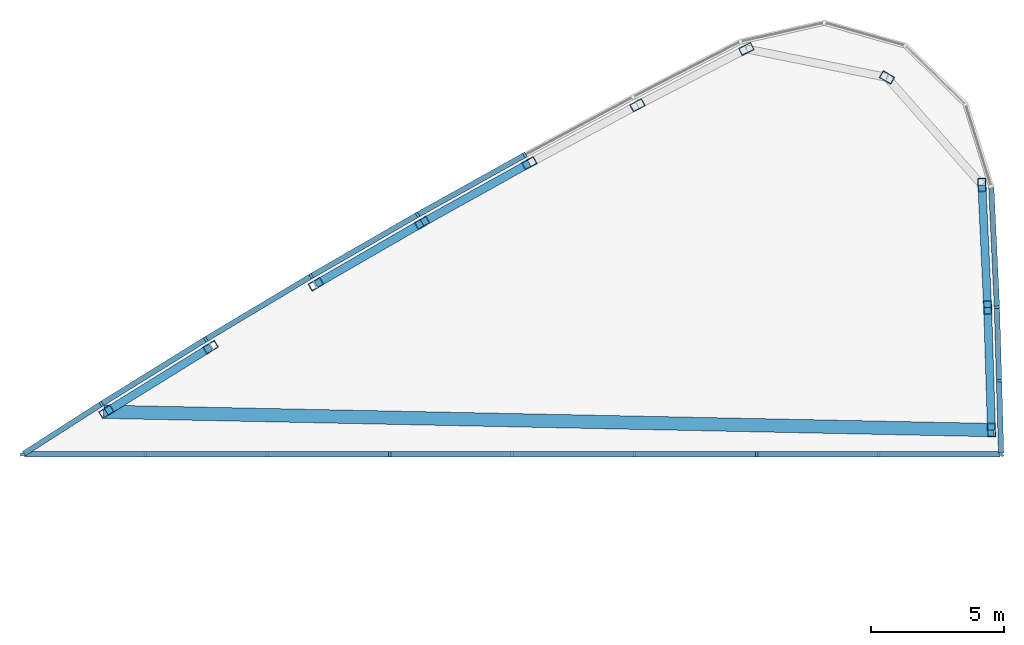
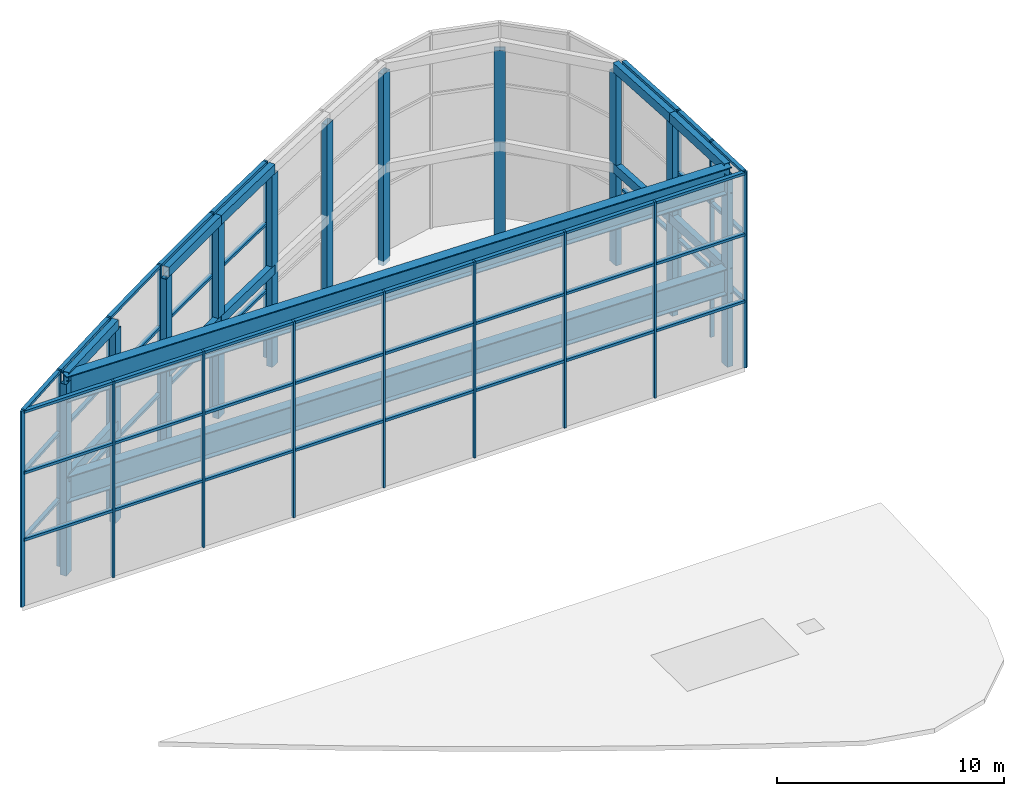
# One storey, part 1 of 4: 48 members, 12 beams, 11 columns, 1 element without a shape of its own.
"""IFC4 building model written with IfcOpenShell, lengths in metres."""

import ifcopenshell
import ifcopenshell.guid

model = None  # the IFC model being written
_history = None  # IfcOwnerHistory: only IFC2X3 demands one
_inside = {}  # id of a spatial element -> (the spatial element, [elements in it])
_under = {}  # id of a project, library or spatial element -> (it, [spatial elements below it])
_declared = {}  # id of a project -> (the project, [libraries it declares])
_typed = {}  # id of a type object -> (the type object, [elements of that type])
_made_of = {}  # id of a material, layer set ... -> (it, [elements and type objects made of it])


def new_model(schema):
    """Start an empty IFC model of exactly this schema.

    Asked for "IFC4X3", IfcOpenShell would pick the latest addendum, in which some entities
    have other attributes; the version numbers below select the first issue.
    IFC2X3 requires an IfcOwnerHistory on every rooted entity: one is made here for all.
    """
    global model, _history
    if schema == "IFC4X3":
        model = ifcopenshell.file(schema_version=(4, 3, 0, 0))
    else:
        model = ifcopenshell.file(schema=schema)
    _inside.clear()
    _under.clear()
    _declared.clear()
    _typed.clear()
    _made_of.clear()
    _history = None
    if model.schema == "IFC2X3":
        org = make("IfcOrganization", Name="unknown")
        user = make(
            "IfcPersonAndOrganization",
            ThePerson=make("IfcPerson", FamilyName="unknown"),
            TheOrganization=org,
        )
        app = make(
            "IfcApplication",
            ApplicationDeveloper=org,
            Version="unknown",
            ApplicationFullName="unknown",
            ApplicationIdentifier="unknown",
        )
        _history = make(
            "IfcOwnerHistory",
            OwningUser=user,
            OwningApplication=app,
            ChangeAction="ADDED",
            CreationDate=0,
        )
    return model


def make(cls, **values):
    """One entity of the class cls with the attributes given. An attribute that is None is left unset."""
    return model.create_entity(
        cls, **{name: value for name, value in values.items() if value is not None}
    )


def rooted(cls, **values):
    """An entity with a GlobalId (a new one), such as an element, a storey or a relation."""
    return make(cls, GlobalId=ifcopenshell.guid.new(), OwnerHistory=_history, **values)


def si_unit(unit_type, name, prefix=None):
    """IfcSIUnit, for example si_unit("LENGTHUNIT", "METRE", prefix="MILLI")."""
    return make("IfcSIUnit", UnitType=unit_type, Prefix=prefix, Name=name)


def assignment(units):
    """IfcUnitAssignment: the units of a project."""
    return None if units is None else make("IfcUnitAssignment", Units=units)


def point(xyz):
    """IfcCartesianPoint."""
    return None if xyz is None else make("IfcCartesianPoint", Coordinates=xyz)


def direction(xyz):
    """IfcDirection."""
    return None if xyz is None else make("IfcDirection", DirectionRatios=xyz)


def frame(location, z_axis=None, x_axis=None):
    """IfcAxis2Placement3D, a coordinate frame: its origin and axes. An axis left out is left unset."""
    return make(
        "IfcAxis2Placement3D",
        Location=point(location),
        Axis=direction(z_axis),
        RefDirection=direction(x_axis),
    )


def frame_2d(location, x_axis=None):
    """IfcAxis2Placement2D, a coordinate frame in the plane: its origin and x axis."""
    return make(
        "IfcAxis2Placement2D", Location=point(location), RefDirection=direction(x_axis)
    )


def origin():
    """The frame at (0, 0, 0) with its axes left unset."""
    return frame((0.0, 0.0, 0.0))


def origin_2d():
    """The frame at (0, 0) in the plane with its x axis left unset."""
    return frame_2d((0.0, 0.0))


def place(relative_to, where):
    """IfcLocalPlacement: puts the frame where relative to a parent placement (None: the world)."""
    return make(
        "IfcLocalPlacement", PlacementRelTo=relative_to, RelativePlacement=where
    )


def context(
    kind, dimensions, precision=None, world=None, true_north=None, identifier=None
):
    """IfcGeometricRepresentationContext, for example the 3D "Model" context."""
    return make(
        "IfcGeometricRepresentationContext",
        ContextIdentifier=identifier,
        ContextType=kind,
        CoordinateSpaceDimension=dimensions,
        Precision=precision,
        WorldCoordinateSystem=world,
        TrueNorth=true_north,
    )


def subcontext(parent, identifier, kind, view, scale=None):
    """IfcGeometricRepresentationSubContext, for example "Body" below "Model"."""
    return make(
        "IfcGeometricRepresentationSubContext",
        ContextIdentifier=identifier,
        ContextType=kind,
        ParentContext=parent,
        TargetScale=scale,
        TargetView=view,
    )


def project(units=None, contexts=None):
    """IfcProject with its units and contexts."""
    return rooted(
        "IfcProject",
        Name="project",
        RepresentationContexts=contexts,
        UnitsInContext=assignment(units),
    )


def spatial(cls, under=None, at=None, **own):
    """A site, building, storey or space (cls), placed at a placement, below another one or the project."""
    s = rooted(cls, ObjectPlacement=at, **own)
    if under is not None:
        _under.setdefault(under.id(), (under, []))[1].append(s)
    return s


def profile(cls, at=None, kind="AREA", **sizes):
    """A parametric profile (cls). Its sizes go by their IFC names, for example OverallWidth=200.0."""
    return make(cls, ProfileType=kind, Position=at, **sizes)


def rectangle(**sizes):
    """IfcRectangleProfileDef."""
    return profile("IfcRectangleProfileDef", **sizes)


def hollow_rectangle(**sizes):
    """IfcRectangleHollowProfileDef."""
    return profile("IfcRectangleHollowProfileDef", **sizes)


def i_section(**sizes):
    """IfcIShapeProfileDef."""
    return profile("IfcIShapeProfileDef", **sizes)


def extrude(swept, where, along, depth):
    """IfcExtrudedAreaSolid: the profile swept, set in the frame where, extruded along a direction by depth."""
    return make(
        "IfcExtrudedAreaSolid",
        SweptArea=swept,
        Position=where,
        ExtrudedDirection=direction(along),
        Depth=depth,
    )


def shape(context_of_items, identifier, shape_type, items):
    """IfcShapeRepresentation: the items that make up one representation, for example the "Body"."""
    return make(
        "IfcShapeRepresentation",
        ContextOfItems=context_of_items,
        RepresentationIdentifier=identifier,
        RepresentationType=shape_type,
        Items=items,
    )


def material(Name=None, Category=None):
    """IfcMaterial."""
    return make("IfcMaterial", Name=Name, Category=Category)


def material_profile(
    of_material, cross_section, Name=None, Category=None, Priority=None
):
    """IfcMaterialProfile: a cross section and its material."""
    return make(
        "IfcMaterialProfile",
        Name=Name,
        Material=of_material,
        Profile=cross_section,
        Priority=Priority,
        Category=Category,
    )


def profile_set(profiles, Name=None, composite=None):
    """IfcMaterialProfileSet."""
    return make(
        "IfcMaterialProfileSet",
        Name=Name,
        MaterialProfiles=profiles,
        CompositeProfile=composite,
    )


def made_of(thing, what):
    """Note that an element or type object is made of a material, layer set ...; save() writes the relation."""
    if what is not None:
        _made_of.setdefault(what.id(), (what, []))[1].append(thing)
    return thing


def type_object(cls, material=None, **own):
    """A type object (cls), such as IfcWallType, which elements share."""
    return made_of(rooted(cls, **own), material)


def element(
    cls,
    number,
    at=None,
    inside=None,
    cuts=None,
    type_object=None,
    material=None,
    context=None,
    identifier="Body",
    shape_type=None,
    held_by="IfcProductDefinitionShape",
    body=None,
    shapes=None,
    **own,
):
    """One element of the class cls, such as IfcWall. Its Tag is "e" and its number.

    at: its placement. inside: the storey or other place that contains it. cuts: it is an
    opening in that element (IfcRelVoidsElement). A single representation is given by context,
    identifier, shape_type and body (its items); several are given by shapes. held_by: the class
    of the entity that holds the representations. save() writes the other relations.
    """
    e = rooted(cls, Tag="e%d" % number, ObjectPlacement=at, **own)
    if body is not None:
        shapes = [shape(context, identifier, shape_type, body)]
    if shapes is not None:
        e.Representation = make(held_by, Representations=shapes)
    if inside is not None:
        _inside.setdefault(inside.id(), (inside, []))[1].append(e)
    if cuts is not None:
        rooted(
            "IfcRelVoidsElement", RelatingBuildingElement=cuts, RelatedOpeningElement=e
        )
    if type_object is not None:
        _typed.setdefault(type_object.id(), (type_object, []))[1].append(e)
    return made_of(e, material)


def aggregate(whole, parts):
    """IfcRelAggregates: a whole, such as a stair, and the parts it consists of."""
    return rooted("IfcRelAggregates", RelatingObject=whole, RelatedObjects=parts)


def save(model, path):
    """Write the relations noted so far, then the file.

    IfcRelAggregates (storeys below a building ...), IfcRelContainedInSpatialStructure (elements
    in a storey), IfcRelDefinesByType, IfcRelAssociatesMaterial and IfcRelDeclares: one each for
    every whole, place, type object, material and project.
    """
    for whole, parts in _under.values():
        aggregate(whole, parts)
    for where, things in _inside.values():
        rooted(
            "IfcRelContainedInSpatialStructure",
            RelatedElements=things,
            RelatingStructure=where,
        )
    for kind, things in _typed.values():
        rooted("IfcRelDefinesByType", RelatedObjects=things, RelatingType=kind)
    for what, things in _made_of.values():
        rooted("IfcRelAssociatesMaterial", RelatedObjects=things, RelatingMaterial=what)
    for by, libraries in _declared.values():
        rooted("IfcRelDeclares", RelatingContext=by, RelatedDefinitions=libraries)
    model.write(path)


model = new_model("IFC4")

# Units and contexts
model_context = context("Model", 3, precision=1e-05, world=origin(), true_north=direction((0.0, 1.0)))
body_context = subcontext(model_context, "Body", "Model", "MODEL_VIEW")
ifc_project = project(units=[si_unit("LENGTHUNIT", "METRE"), si_unit("AREAUNIT", "SQUARE_METRE"), si_unit("VOLUMEUNIT", "CUBIC_METRE"), si_unit("PLANEANGLEUNIT", "RADIAN"), si_unit("MASSUNIT", "GRAM", prefix="KILO")], contexts=[model_context])

# Site, building, storey
site_placement = place(None, origin())
site = spatial("IfcSite", under=ifc_project, at=site_placement, CompositionType="ELEMENT")
building_placement = place(site_placement, origin())
building = spatial("IfcBuilding", under=site, at=building_placement, Name="Tamra Quay Hotel Tower", CompositionType="ELEMENT")
storey_placement = place(building_placement, frame((0.0, 0.0, 338.60009765625)))
storey = spatial("IfcBuildingStorey", under=building, at=storey_placement, Name="Roof crown 6", CompositionType="ELEMENT", Elevation=338.60009765625)

# Columns
ifc_material_1 = material(Name="Structural steel IS 2062 E350", Category="steel")
ifc_material_profile_1 = material_profile(ifc_material_1, hollow_rectangle(XDim=0.300048828125, YDim=0.5, WallThickness=0.01611328125, at=origin_2d()), Name="RHS 500x300x16")
ifc_profile_set_1 = profile_set([ifc_material_profile_1], Name="Structural steel IS 2062 E350")
column_type = type_object("IfcColumnType", Name="CROWN FRAME POST RHS 500x300x16", PredefinedType="COLUMN", material=ifc_profile_set_1)
for number, where, z_axis, x_axis, name in (
    (1, (-13.765380859375, 10.022216796875, -0.25), (0.0, 0.0, 1.0), (-0.520430007934, 0.8539043312, 0.0), "CF-A-C6NW06-Roofcrown6"),
    (2, (-17.681396484375, 7.594970703125, -0.25), (0.0, 0.0, 1.0), (-0.533133229604, 0.846031299357, 0.0), "CF-A-C6NW07-Roofcrown6"),
    (3, (15.56201171875, 6.909912109375, -0.25), (0.0, 0.0, 1.0), (0.999717847188, 0.023753442163, 0.0), "CF-A-C6E06-Roofcrown6"),
    (4, (15.418212890625, 11.51513671875, -0.25), (0.0, 0.0, 1.0), (0.999251212442, 0.03869127076, 0.0), "CF-A-C6E07-Roofcrown6"),
    (5, (15.202392578125, 16.116943359375, -0.25), (0.0, 0.0, 1.0), (0.998490919119, 0.05491706873, 0.0), "CF-A-C6E08-Roofcrown6"),
    (6, (11.63671875, 20.1552734375, -0.25), (0.0, 0.0, 1.0), (0.5, 0.866025403784, 0.0), "CF-A-M6NE-Roofcrown6"),
    (7, (6.3564453125, 21.22412109375, -0.25), (0.0, 0.0, 1.0), (-0.451685882938, 0.89217703577, 0.0), "CF-A-C6NW01-Roofcrown6"),
    (8, (2.26318359375, 19.110107421875, -0.25), (0.0, 0.0, 1.0), (-0.466117982839, 0.884722570117, 0.0), "CF-A-C6NW02-Roofcrown6"),
    (9, (-1.796875, 16.93212890625, -0.25), (0.0, 0.0, 1.0), (-0.479287839253, 0.877657773363, 0.0), "CF-A-C6NW03-Roofcrown6"),
    (10, (-5.822265625, 14.69140625, -0.25), (0.0, 0.0, 1.0), (-0.493125204396, 0.869958351181, 0.0), "CF-A-C6NW04-Roofcrown6"),
    (11, (-9.81201171875, 12.3876953125, -0.25), (0.0, 0.0, 1.0), (-0.506843430159, 0.862038129844, 0.0), "CF-A-C6NW05-Roofcrown6"),
):
    element("IfcColumn", number, at=place(storey_placement, frame(where, z_axis=z_axis, x_axis=x_axis)), inside=storey, type_object=column_type, Name=name, PredefinedType="COLUMN", context=body_context, shape_type="SweptSolid", body=[
        extrude(hollow_rectangle(XDim=0.300048828125, YDim=0.5, WallThickness=0.01611328125, at=origin_2d()), origin(), (0.0, 0.0, 1.0), 10.2998046875),
    ])

# Beams
ifc_material_profile_2 = material_profile(ifc_material_1, hollow_rectangle(XDim=0.300048828125, YDim=0.5, WallThickness=0.01611328125, at=origin_2d()), Name="RHS 500x300x16")
ifc_profile_set_2 = profile_set([ifc_material_profile_2], Name="Structural steel IS 2062 E350")
beam_type_1 = type_object("IfcBeamType", Name="CROWN FRAME RING BEAM RHS 500x300x16", PredefinedType="BEAM", material=ifc_profile_set_2)
beam_1_placement = place(storey_placement, frame((-13.765380859375, 10.022216796875, 4.89990234375), z_axis=(-0.849969133721, -0.526832489243, 0.0), x_axis=(0.526832489243, -0.849969133721, 0.0)))
element("IfcBeam", 12, at=beam_1_placement, inside=storey, type_object=beam_type_1, Name="CF-A-RBM00", PredefinedType="BEAM", context=body_context, shape_type="SweptSolid", body=[
    extrude(hollow_rectangle(XDim=0.300048828125, YDim=0.5, WallThickness=0.01611328125, at=origin_2d()), origin(), (0.0, 0.0, 1.0), 4.607177734375),
])
beam_2_placement = place(storey_placement, frame((15.56201171875, 6.909912109375, 4.89990234375), z_axis=(-0.03120993847, 0.999512851213, 0.0), x_axis=(-0.999512851213, -0.03120993847, 0.0)))
element("IfcBeam", 13, at=beam_2_placement, inside=storey, type_object=beam_type_1, Name="CF-A-RBM02", PredefinedType="BEAM", context=body_context, shape_type="SweptSolid", body=[
    extrude(hollow_rectangle(XDim=0.300048828125, YDim=0.5, WallThickness=0.01611328125, at=origin_2d()), origin(), (0.0, 0.0, 1.0), 4.607421875),
])
for number, where, z_axis, x_axis, name in (
    (14, (15.418212890625, 11.51513671875, 4.89990234375), (-0.04684754698, 0.998902050925, 0.0), (-0.998902050925, -0.04684754698, 0.0), "CF-A-RBM03"),
    (15, (-1.796875, 16.93212890625, 4.89990234375), (-0.873752024122, -0.486371668935, 0.0), (0.486371668935, -0.873752024122, 0.0), "CF-A-RBM08"),
):
    element("IfcBeam", number, at=place(storey_placement, frame(where, z_axis=z_axis, x_axis=x_axis)), inside=storey, type_object=beam_type_1, Name=name, PredefinedType="BEAM", context=body_context, shape_type="SweptSolid", body=[
        extrude(hollow_rectangle(XDim=0.300048828125, YDim=0.5, WallThickness=0.01611328125, at=origin_2d()), origin(), (0.0, 0.0, 1.0), 4.60693359375),
    ])
for number, where, z_axis, x_axis, name in (
    (16, (-5.822265625, 14.69140625, 4.89990234375), (-0.866003789707, -0.500037434811, 0.0), (0.500037434811, -0.866003789707, 0.0), "CF-A-RBM09"),
    (17, (-13.765380859375, 10.022216796875, 10.2998046875), (-0.849969133721, -0.526832489243, 0.0), (0.526832489243, -0.849969133721, 0.0), "CF-A-RB00"),
):
    element("IfcBeam", number, at=place(storey_placement, frame(where, z_axis=z_axis, x_axis=x_axis)), inside=storey, type_object=beam_type_1, Name=name, PredefinedType="BEAM", context=body_context, shape_type="SweptSolid", body=[
        extrude(hollow_rectangle(XDim=0.300048828125, YDim=0.5, WallThickness=0.01611328125, at=origin_2d()), origin(), (0.0, 0.0, 1.0), 4.607177734375),
    ])
beam_3_placement = place(storey_placement, frame((15.56201171875, 6.909912109375, 10.2998046875), z_axis=(-0.03120993847, 0.999512851213, 0.0), x_axis=(-0.999512851213, -0.03120993847, 0.0)))
element("IfcBeam", 18, at=beam_3_placement, inside=storey, type_object=beam_type_1, Name="CF-A-RB02", PredefinedType="BEAM", context=body_context, shape_type="SweptSolid", body=[
    extrude(hollow_rectangle(XDim=0.300048828125, YDim=0.5, WallThickness=0.01611328125, at=origin_2d()), origin(), (0.0, 0.0, 1.0), 4.607421875),
])
for number, where, z_axis, x_axis, name in (
    (19, (15.418212890625, 11.51513671875, 10.2998046875), (-0.04684754698, 0.998902050925, 0.0), (-0.998902050925, -0.04684754698, 0.0), "CF-A-RB03"),
    (20, (-1.796875, 16.93212890625, 10.2998046875), (-0.873752024122, -0.486371668935, 0.0), (0.486371668935, -0.873752024122, 0.0), "CF-A-RB08"),
):
    element("IfcBeam", number, at=place(storey_placement, frame(where, z_axis=z_axis, x_axis=x_axis)), inside=storey, type_object=beam_type_1, Name=name, PredefinedType="BEAM", context=body_context, shape_type="SweptSolid", body=[
        extrude(hollow_rectangle(XDim=0.300048828125, YDim=0.5, WallThickness=0.01611328125, at=origin_2d()), origin(), (0.0, 0.0, 1.0), 4.60693359375),
    ])
beam_4_placement = place(storey_placement, frame((-5.822265625, 14.69140625, 10.2998046875), z_axis=(-0.866003789707, -0.500037434811, 0.0), x_axis=(0.500037434811, -0.866003789707, 0.0)))
element("IfcBeam", 21, at=beam_4_placement, inside=storey, type_object=beam_type_1, Name="CF-A-RB09", PredefinedType="BEAM", context=body_context, shape_type="SweptSolid", body=[
    extrude(hollow_rectangle(XDim=0.300048828125, YDim=0.5, WallThickness=0.01611328125, at=origin_2d()), origin(), (0.0, 0.0, 1.0), 4.607177734375),
])
ifc_material_profile_3 = material_profile(ifc_material_1, i_section(OverallWidth=0.5, OverallDepth=1.39990234375, WebThickness=0.02490234375, FlangeThickness=0.050048828125, at=origin_2d()), Name="WPG 1400x500x25x50")
ifc_profile_set_3 = profile_set([ifc_material_profile_3], Name="Structural steel IS 2062 E350")
beam_type_2 = type_object("IfcBeamType", Name="CROWN SLOT GIRDER WPG 1400x500x25x50", PredefinedType="BEAM", material=ifc_profile_set_3)
for number, where, z_axis, x_axis, name in (
    (22, (-17.781494140625, 7.59716796875, 4.349853515625), (0.999787570436, -0.020611016527, 0.0), (0.020611016527, 0.999787570436, 0.0), "CF-A-SGM01"),
    (23, (-17.781494140625, 7.59716796875, 9.75), (0.999787570436, -0.020611016527, 0.0), (0.020611016527, 0.999787570436, 0.0), "CF-A-SG01"),
):
    element("IfcBeam", number, at=place(storey_placement, frame(where, z_axis=z_axis, x_axis=x_axis)), inside=storey, type_object=beam_type_2, Name=name, PredefinedType="BEAM", context=body_context, shape_type="SweptSolid", body=[
        extrude(i_section(OverallWidth=0.5, OverallDepth=1.39990234375, WebThickness=0.02490234375, FlangeThickness=0.050048828125, at=origin_2d()), origin(), (0.0, 0.0, 1.0), 33.45068359375),
    ])

# Curtain wall, members
ifc_material_2 = material(Name="Aluminium 6063 anodised dark grey", Category="aluminium")
curtain_wall_type = type_object("IfcCurtainWallType", Name="CW6 CURTAIN WALL", PredefinedType="NOTDEFINED", material=ifc_material_2)
curtain_wall_placement = place(storey_placement, origin())
curtain_wall = element("IfcCurtainWall", 24, at=curtain_wall_placement, inside=storey, type_object=curtain_wall_type, Name="CW6 lantern A face Roof crown 6", PredefinedType="NOTDEFINED")
ifc_material_profile_4 = material_profile(ifc_material_2, rectangle(XDim=0.199951171875, YDim=0.10009765625, at=origin_2d()), Name="MULLION 100X200")
ifc_profile_set_4 = profile_set([ifc_material_profile_4], Name="Aluminium 6063 anodised dark grey")
member_type_1 = type_object("IfcMemberType", Name="MULLION CW6", PredefinedType="MULLION", material=ifc_profile_set_4)
member_1_placement = place(storey_placement, frame((15.767822265625, 11.528564453125, 0.0), z_axis=(0.0, 0.0, 1.0), x_axis=(0.999287700876, 0.037737128642, 0.0)))
member_1 = element("IfcMember", 25, at=member_1_placement, type_object=member_type_1, Name="CW6 mullion Roof crown 6.A.1", PredefinedType="MULLION", context=body_context, shape_type="SweptSolid", body=[
    extrude(rectangle(XDim=0.199951171875, YDim=0.10009765625, at=origin_2d()), origin(), (0.0, 0.0, 1.0), 10.5498046875),
])
member_2_placement = place(storey_placement, frame((-1.96435546875, 17.239501953125, 0.0), z_axis=(0.0, 0.0, 1.0), x_axis=(-0.479565116943, 0.877506295483, 0.0)))
member_2 = element("IfcMember", 26, at=member_2_placement, type_object=member_type_1, Name="CW6 mullion Roof crown 6.A.8", PredefinedType="MULLION", context=body_context, shape_type="SweptSolid", body=[
    extrude(rectangle(XDim=0.199951171875, YDim=0.10009765625, at=origin_2d()), origin(), (0.0, 0.0, 1.0), 10.5498046875),
])
member_3_placement = place(storey_placement, frame((-5.99462890625, 14.995849609375, 0.0), z_axis=(0.0, 0.0, 1.0), x_axis=(-0.493215722033, 0.869907036148, 0.0)))
member_3 = element("IfcMember", 27, at=member_3_placement, type_object=member_type_1, Name="CW6 mullion Roof crown 6.A.9", PredefinedType="MULLION", context=body_context, shape_type="SweptSolid", body=[
    extrude(rectangle(XDim=0.199951171875, YDim=0.10009765625, at=origin_2d()), origin(), (0.0, 0.0, 1.0), 10.5498046875),
])
member_4_placement = place(storey_placement, frame((-9.989501953125, 12.689453125, 0.0), z_axis=(0.0, 0.0, 1.0), x_axis=(-0.506753731218, 0.862090862901, 0.0)))
member_4 = element("IfcMember", 28, at=member_4_placement, type_object=member_type_1, Name="CW6 mullion Roof crown 6.A.10", PredefinedType="MULLION", context=body_context, shape_type="SweptSolid", body=[
    extrude(rectangle(XDim=0.199951171875, YDim=0.10009765625, at=origin_2d()), origin(), (0.0, 0.0, 1.0), 10.5498046875),
])
member_5_placement = place(storey_placement, frame((-13.947509765625, 10.321044921875, 0.0), z_axis=(0.0, 0.0, 1.0), x_axis=(-0.520160185397, 0.854068721783, 0.0)))
member_5 = element("IfcMember", 29, at=member_5_placement, type_object=member_type_1, Name="CW6 mullion Roof crown 6.A.11", PredefinedType="MULLION", context=body_context, shape_type="SweptSolid", body=[
    extrude(rectangle(XDim=0.199951171875, YDim=0.10009765625, at=origin_2d()), origin(), (0.0, 0.0, 1.0), 10.5498046875),
])
member_6_placement = place(storey_placement, frame((-17.867919921875, 7.89111328125, 0.0), z_axis=(0.0, 0.0, 1.0), x_axis=(-0.533422330848, 0.845849050926, 0.0)))
member_6 = element("IfcMember", 30, at=member_6_placement, type_object=member_type_1, Name="CW6 mullion Roof crown 6.A.12", PredefinedType="MULLION", context=body_context, shape_type="SweptSolid", body=[
    extrude(rectangle(XDim=0.199951171875, YDim=0.10009765625, at=origin_2d()), origin(), (0.0, 0.0, 1.0), 10.5498046875),
])
member_7_placement = place(storey_placement, frame((-20.815673828125, 6.0, 0.0), z_axis=(0.0, 0.0, 1.0), x_axis=(-0.959600167912, -0.281367229333, 0.0)))
member_7 = element("IfcMember", 31, at=member_7_placement, type_object=member_type_1, Name="CW6 mullion Roof crown 6.A.13", PredefinedType="MULLION", context=body_context, shape_type="SweptSolid", body=[
    extrude(rectangle(XDim=0.199951171875, YDim=0.10009765625, at=origin_2d()), origin(), (0.0, 0.0, 1.0), 10.5498046875),
])
member_8_placement = place(storey_placement, frame((-16.222900390625, 6.0, 0.0), z_axis=(0.0, 0.0, 1.0), x_axis=(0.0, -1.0, 0.0)))
member_8 = element("IfcMember", 32, at=member_8_placement, type_object=member_type_1, Name="CW6 mullion Roof crown 6.A.14", PredefinedType="MULLION", context=body_context, shape_type="SweptSolid", body=[
    extrude(rectangle(XDim=0.199951171875, YDim=0.10009765625, at=origin_2d()), origin(), (0.0, 0.0, 1.0), 10.5498046875),
])
member_9_placement = place(storey_placement, frame((-11.630126953125, 6.0, 0.0), z_axis=(0.0, 0.0, 1.0), x_axis=(0.0, -1.0, 0.0)))
member_9 = element("IfcMember", 33, at=member_9_placement, type_object=member_type_1, Name="CW6 mullion Roof crown 6.A.15", PredefinedType="MULLION", context=body_context, shape_type="SweptSolid", body=[
    extrude(rectangle(XDim=0.199951171875, YDim=0.10009765625, at=origin_2d()), origin(), (0.0, 0.0, 1.0), 10.5498046875),
])
member_10_placement = place(storey_placement, frame((-7.037353515625, 6.0, 0.0), z_axis=(0.0, 0.0, 1.0), x_axis=(0.0, -1.0, 0.0)))
member_10 = element("IfcMember", 34, at=member_10_placement, type_object=member_type_1, Name="CW6 mullion Roof crown 6.A.16", PredefinedType="MULLION", context=body_context, shape_type="SweptSolid", body=[
    extrude(rectangle(XDim=0.199951171875, YDim=0.10009765625, at=origin_2d()), origin(), (0.0, 0.0, 1.0), 10.5498046875),
])
member_11_placement = place(storey_placement, frame((-2.444580078125, 6.0, 0.0), z_axis=(0.0, 0.0, 1.0), x_axis=(0.0, -1.0, 0.0)))
member_11 = element("IfcMember", 35, at=member_11_placement, type_object=member_type_1, Name="CW6 mullion Roof crown 6.A.17", PredefinedType="MULLION", context=body_context, shape_type="SweptSolid", body=[
    extrude(rectangle(XDim=0.199951171875, YDim=0.10009765625, at=origin_2d()), origin(), (0.0, 0.0, 1.0), 10.5498046875),
])
member_12_placement = place(storey_placement, frame((2.148193359375, 6.0, 0.0), z_axis=(0.0, 0.0, 1.0), x_axis=(0.0, -1.0, 0.0)))
member_12 = element("IfcMember", 36, at=member_12_placement, type_object=member_type_1, Name="CW6 mullion Roof crown 6.A.18", PredefinedType="MULLION", context=body_context, shape_type="SweptSolid", body=[
    extrude(rectangle(XDim=0.199951171875, YDim=0.10009765625, at=origin_2d()), origin(), (0.0, 0.0, 1.0), 10.5498046875),
])
member_13_placement = place(storey_placement, frame((6.740966796875, 6.0, 0.0), z_axis=(0.0, 0.0, 1.0), x_axis=(0.0, -1.0, 0.0)))
member_13 = element("IfcMember", 37, at=member_13_placement, type_object=member_type_1, Name="CW6 mullion Roof crown 6.A.19", PredefinedType="MULLION", context=body_context, shape_type="SweptSolid", body=[
    extrude(rectangle(XDim=0.199951171875, YDim=0.10009765625, at=origin_2d()), origin(), (0.0, 0.0, 1.0), 10.5498046875),
])
member_14_placement = place(storey_placement, frame((11.333740234375, 6.0, 0.0), z_axis=(0.0, 0.0, 1.0), x_axis=(0.0, -1.0, 0.0)))
member_14 = element("IfcMember", 38, at=member_14_placement, type_object=member_type_1, Name="CW6 mullion Roof crown 6.A.20", PredefinedType="MULLION", context=body_context, shape_type="SweptSolid", body=[
    extrude(rectangle(XDim=0.199951171875, YDim=0.10009765625, at=origin_2d()), origin(), (0.0, 0.0, 1.0), 10.5498046875),
])
member_15_placement = place(storey_placement, frame((15.92626953125, 6.0, 0.0), z_axis=(0.0, 0.0, 1.0), x_axis=(0.717164497017, -0.696903927538, 0.0)))
member_15 = element("IfcMember", 39, at=member_15_placement, type_object=member_type_1, Name="CW6 mullion Roof crown 6.A.21", PredefinedType="MULLION", context=body_context, shape_type="SweptSolid", body=[
    extrude(rectangle(XDim=0.199951171875, YDim=0.10009765625, at=origin_2d()), origin(), (0.0, 0.0, 1.0), 10.5498046875),
])
member_16_placement = place(storey_placement, frame((15.84716796875, 8.76416015625, 0.0), z_axis=(0.0, 0.0, 1.0), x_axis=(0.999589509324, 0.028649831581, 0.0)))
member_16 = element("IfcMember", 40, at=member_16_placement, type_object=member_type_1, Name="CW6 mullion Roof crown 6.A.22", PredefinedType="MULLION", context=body_context, shape_type="SweptSolid", body=[
    extrude(rectangle(XDim=0.199951171875, YDim=0.10009765625, at=origin_2d()), origin(), (0.0, 0.0, 1.0), 10.5498046875),
])
ifc_material_profile_5 = material_profile(ifc_material_2, rectangle(XDim=0.199951171875, YDim=0.139892578125, at=origin_2d()), Name="TRANSOM 200X140")
ifc_profile_set_5 = profile_set([ifc_material_profile_5], Name="Aluminium 6063 anodised dark grey")
member_type_2 = type_object("IfcMemberType", Name="TRANSOM CW6", PredefinedType="USERDEFINED", material=ifc_profile_set_5)
member_17_placement = place(storey_placement, frame((15.765625, 11.578369140625, 10.47998046875), z_axis=(-0.046844159112, 0.998902209807, 0.0), x_axis=(-0.998902209807, -0.046844159112, 0.0)))
member_17 = element("IfcMember", 41, at=member_17_placement, type_object=member_type_2, Name="CW6 transom Roof crown 6.A.1", ObjectType="TRANSOM", PredefinedType="USERDEFINED", context=body_context, shape_type="SweptSolid", body=[
    extrude(rectangle(XDim=0.199951171875, YDim=0.139892578125, at=origin_2d()), origin(), (0.0, 0.0, 1.0), 4.4404296875),
])
member_18_placement = place(storey_placement, frame((15.765625, 11.578369140625, 3.599853515625), z_axis=(-0.046844159112, 0.998902209807, 0.0), x_axis=(-0.998902209807, -0.046844159112, 0.0)))
member_18 = element("IfcMember", 42, at=member_18_placement, type_object=member_type_2, Name="CW6 transom Roof crown 6.A.1.2", ObjectType="TRANSOM", PredefinedType="USERDEFINED", context=body_context, shape_type="SweptSolid", body=[
    extrude(rectangle(XDim=0.199951171875, YDim=0.139892578125, at=origin_2d()), origin(), (0.0, 0.0, 1.0), 4.4404296875),
])
member_19_placement = place(storey_placement, frame((-2.008056640625, 17.215087890625, 10.47998046875), z_axis=(-0.8737256573, -0.486419033114, 0.0), x_axis=(0.486419033114, -0.8737256573, 0.0)))
member_19 = element("IfcMember", 43, at=member_19_placement, type_object=member_type_2, Name="CW6 transom Roof crown 6.A.8", ObjectType="TRANSOM", PredefinedType="USERDEFINED", context=body_context, shape_type="SweptSolid", body=[
    extrude(rectangle(XDim=0.199951171875, YDim=0.139892578125, at=origin_2d()), origin(), (0.0, 0.0, 1.0), 4.5126953125),
])
member_20_placement = place(storey_placement, frame((-2.008056640625, 17.215087890625, 3.599853515625), z_axis=(-0.8737256573, -0.486419033114, 0.0), x_axis=(0.486419033114, -0.8737256573, 0.0)))
member_20 = element("IfcMember", 44, at=member_20_placement, type_object=member_type_2, Name="CW6 transom Roof crown 6.A.8.2", ObjectType="TRANSOM", PredefinedType="USERDEFINED", context=body_context, shape_type="SweptSolid", body=[
    extrude(rectangle(XDim=0.199951171875, YDim=0.139892578125, at=origin_2d()), origin(), (0.0, 0.0, 1.0), 4.5126953125),
])
member_21_placement = place(storey_placement, frame((-2.008056640625, 17.215087890625, 7.199951171875), z_axis=(-0.8737256573, -0.486419033114, 0.0), x_axis=(0.486419033114, -0.8737256573, 0.0)))
member_21 = element("IfcMember", 45, at=member_21_placement, type_object=member_type_2, Name="CW6 transom Roof crown 6.A.8.3", ObjectType="TRANSOM", PredefinedType="USERDEFINED", context=body_context, shape_type="SweptSolid", body=[
    extrude(rectangle(XDim=0.199951171875, YDim=0.139892578125, at=origin_2d()), origin(), (0.0, 0.0, 1.0), 4.5126953125),
])
member_22_placement = place(storey_placement, frame((-6.0380859375, 14.970703125, 10.47998046875), z_axis=(-0.86601710485, -0.5000143739, 0.0), x_axis=(0.5000143739, -0.86601710485, 0.0)))
member_22 = element("IfcMember", 46, at=member_22_placement, type_object=member_type_2, Name="CW6 transom Roof crown 6.A.9", ObjectType="TRANSOM", PredefinedType="USERDEFINED", context=body_context, shape_type="SweptSolid", body=[
    extrude(rectangle(XDim=0.199951171875, YDim=0.139892578125, at=origin_2d()), origin(), (0.0, 0.0, 1.0), 4.512451171875),
])
member_23_placement = place(storey_placement, frame((-6.0380859375, 14.970703125, 3.599853515625), z_axis=(-0.86601710485, -0.5000143739, 0.0), x_axis=(0.5000143739, -0.86601710485, 0.0)))
member_23 = element("IfcMember", 47, at=member_23_placement, type_object=member_type_2, Name="CW6 transom Roof crown 6.A.9.2", ObjectType="TRANSOM", PredefinedType="USERDEFINED", context=body_context, shape_type="SweptSolid", body=[
    extrude(rectangle(XDim=0.199951171875, YDim=0.139892578125, at=origin_2d()), origin(), (0.0, 0.0, 1.0), 4.512451171875),
])
member_24_placement = place(storey_placement, frame((-6.0380859375, 14.970703125, 7.199951171875), z_axis=(-0.86601710485, -0.5000143739, 0.0), x_axis=(0.5000143739, -0.86601710485, 0.0)))
member_24 = element("IfcMember", 48, at=member_24_placement, type_object=member_type_2, Name="CW6 transom Roof crown 6.A.9.3", ObjectType="TRANSOM", PredefinedType="USERDEFINED", context=body_context, shape_type="SweptSolid", body=[
    extrude(rectangle(XDim=0.199951171875, YDim=0.139892578125, at=origin_2d()), origin(), (0.0, 0.0, 1.0), 4.512451171875),
])
member_25_placement = place(storey_placement, frame((-10.0322265625, 12.663818359375, 10.47998046875), z_axis=(-0.858103349305, -0.513477012058, 0.0), x_axis=(0.513477012058, -0.858103349305, 0.0)))
member_25 = element("IfcMember", 49, at=member_25_placement, type_object=member_type_2, Name="CW6 transom Roof crown 6.A.10", ObjectType="TRANSOM", PredefinedType="USERDEFINED", context=body_context, shape_type="SweptSolid", body=[
    extrude(rectangle(XDim=0.199951171875, YDim=0.139892578125, at=origin_2d()), origin(), (0.0, 0.0, 1.0), 4.5126953125),
])
member_26_placement = place(storey_placement, frame((-10.0322265625, 12.663818359375, 3.599853515625), z_axis=(-0.858103349305, -0.513477012058, 0.0), x_axis=(0.513477012058, -0.858103349305, 0.0)))
member_26 = element("IfcMember", 50, at=member_26_placement, type_object=member_type_2, Name="CW6 transom Roof crown 6.A.10.2", ObjectType="TRANSOM", PredefinedType="USERDEFINED", context=body_context, shape_type="SweptSolid", body=[
    extrude(rectangle(XDim=0.199951171875, YDim=0.139892578125, at=origin_2d()), origin(), (0.0, 0.0, 1.0), 4.5126953125),
])
member_27_placement = place(storey_placement, frame((-10.0322265625, 12.663818359375, 7.199951171875), z_axis=(-0.858103349305, -0.513477012058, 0.0), x_axis=(0.513477012058, -0.858103349305, 0.0)))
member_27 = element("IfcMember", 51, at=member_27_placement, type_object=member_type_2, Name="CW6 transom Roof crown 6.A.10.3", ObjectType="TRANSOM", PredefinedType="USERDEFINED", context=body_context, shape_type="SweptSolid", body=[
    extrude(rectangle(XDim=0.199951171875, YDim=0.139892578125, at=origin_2d()), origin(), (0.0, 0.0, 1.0), 4.5126953125),
])
member_28_placement = place(storey_placement, frame((-13.989990234375, 10.294677734375, 10.47998046875), z_axis=(-0.849980220175, -0.526814602409, 0.0), x_axis=(0.526814602409, -0.849980220175, 0.0)))
member_28 = element("IfcMember", 52, at=member_28_placement, type_object=member_type_2, Name="CW6 transom Roof crown 6.A.11", ObjectType="TRANSOM", PredefinedType="USERDEFINED", context=body_context, shape_type="SweptSolid", body=[
    extrude(rectangle(XDim=0.199951171875, YDim=0.139892578125, at=origin_2d()), origin(), (0.0, 0.0, 1.0), 4.512451171875),
])
member_29_placement = place(storey_placement, frame((-13.989990234375, 10.294677734375, 3.599853515625), z_axis=(-0.849980220175, -0.526814602409, 0.0), x_axis=(0.526814602409, -0.849980220175, 0.0)))
member_29 = element("IfcMember", 53, at=member_29_placement, type_object=member_type_2, Name="CW6 transom Roof crown 6.A.11.2", ObjectType="TRANSOM", PredefinedType="USERDEFINED", context=body_context, shape_type="SweptSolid", body=[
    extrude(rectangle(XDim=0.199951171875, YDim=0.139892578125, at=origin_2d()), origin(), (0.0, 0.0, 1.0), 4.512451171875),
])
member_30_placement = place(storey_placement, frame((-13.989990234375, 10.294677734375, 7.199951171875), z_axis=(-0.849980220175, -0.526814602409, 0.0), x_axis=(0.526814602409, -0.849980220175, 0.0)))
member_30 = element("IfcMember", 54, at=member_30_placement, type_object=member_type_2, Name="CW6 transom Roof crown 6.A.11.3", ObjectType="TRANSOM", PredefinedType="USERDEFINED", context=body_context, shape_type="SweptSolid", body=[
    extrude(rectangle(XDim=0.199951171875, YDim=0.139892578125, at=origin_2d()), origin(), (0.0, 0.0, 1.0), 4.512451171875),
])
member_31_placement = place(storey_placement, frame((-17.909912109375, 7.8642578125, 10.47998046875), z_axis=(-0.841670083092, -0.53999210293, 0.0), x_axis=(0.53999210293, -0.841670083092, 0.0)))
member_31 = element("IfcMember", 55, at=member_31_placement, type_object=member_type_2, Name="CW6 transom Roof crown 6.A.12", ObjectType="TRANSOM", PredefinedType="USERDEFINED", context=body_context, shape_type="SweptSolid", body=[
    extrude(rectangle(XDim=0.199951171875, YDim=0.139892578125, at=origin_2d()), origin(), (0.0, 0.0, 1.0), 3.402099609375),
])
member_32_placement = place(storey_placement, frame((-17.909912109375, 7.8642578125, 3.599853515625), z_axis=(-0.841670083092, -0.53999210293, 0.0), x_axis=(0.53999210293, -0.841670083092, 0.0)))
member_32 = element("IfcMember", 56, at=member_32_placement, type_object=member_type_2, Name="CW6 transom Roof crown 6.A.12.2", ObjectType="TRANSOM", PredefinedType="USERDEFINED", context=body_context, shape_type="SweptSolid", body=[
    extrude(rectangle(XDim=0.199951171875, YDim=0.139892578125, at=origin_2d()), origin(), (0.0, 0.0, 1.0), 3.402099609375),
])
member_33_placement = place(storey_placement, frame((-17.909912109375, 7.8642578125, 7.199951171875), z_axis=(-0.841670083092, -0.53999210293, 0.0), x_axis=(0.53999210293, -0.841670083092, 0.0)))
member_33 = element("IfcMember", 57, at=member_33_placement, type_object=member_type_2, Name="CW6 transom Roof crown 6.A.12.3", ObjectType="TRANSOM", PredefinedType="USERDEFINED", context=body_context, shape_type="SweptSolid", body=[
    extrude(rectangle(XDim=0.199951171875, YDim=0.139892578125, at=origin_2d()), origin(), (0.0, 0.0, 1.0), 3.402099609375),
])
member_34_placement = place(storey_placement, frame((-20.765625, 6.0, 10.47998046875), z_axis=(1.0, 0.0, 0.0), x_axis=(0.0, 1.0, 0.0)))
member_34 = element("IfcMember", 58, at=member_34_placement, type_object=member_type_2, Name="CW6 transom Roof crown 6.A.13", ObjectType="TRANSOM", PredefinedType="USERDEFINED", context=body_context, shape_type="SweptSolid", body=[
    extrude(rectangle(XDim=0.199951171875, YDim=0.139892578125, at=origin_2d()), origin(), (0.0, 0.0, 1.0), 13.67822265625),
])
member_35_placement = place(storey_placement, frame((-20.765625, 6.0, 3.599853515625), z_axis=(1.0, 0.0, 0.0), x_axis=(0.0, 1.0, 0.0)))
member_35 = element("IfcMember", 59, at=member_35_placement, type_object=member_type_2, Name="CW6 transom Roof crown 6.A.13.2", ObjectType="TRANSOM", PredefinedType="USERDEFINED", context=body_context, shape_type="SweptSolid", body=[
    extrude(rectangle(XDim=0.199951171875, YDim=0.139892578125, at=origin_2d()), origin(), (0.0, 0.0, 1.0), 13.67822265625),
])
member_36_placement = place(storey_placement, frame((-20.765625, 6.0, 7.199951171875), z_axis=(1.0, 0.0, 0.0), x_axis=(0.0, 1.0, 0.0)))
member_36 = element("IfcMember", 60, at=member_36_placement, type_object=member_type_2, Name="CW6 transom Roof crown 6.A.13.3", ObjectType="TRANSOM", PredefinedType="USERDEFINED", context=body_context, shape_type="SweptSolid", body=[
    extrude(rectangle(XDim=0.199951171875, YDim=0.139892578125, at=origin_2d()), origin(), (0.0, 0.0, 1.0), 13.67822265625),
])
member_37_placement = place(storey_placement, frame((-6.9873046875, 6.0, 10.47998046875), z_axis=(1.0, 0.0, 0.0), x_axis=(0.0, 1.0, 0.0)))
member_37 = element("IfcMember", 61, at=member_37_placement, type_object=member_type_2, Name="CW6 transom Roof crown 6.A.16", ObjectType="TRANSOM", PredefinedType="USERDEFINED", context=body_context, shape_type="SweptSolid", body=[
    extrude(rectangle(XDim=0.199951171875, YDim=0.139892578125, at=origin_2d()), origin(), (0.0, 0.0, 1.0), 13.67822265625),
])
member_38_placement = place(storey_placement, frame((-6.9873046875, 6.0, 3.599853515625), z_axis=(1.0, 0.0, 0.0), x_axis=(0.0, 1.0, 0.0)))
member_38 = element("IfcMember", 62, at=member_38_placement, type_object=member_type_2, Name="CW6 transom Roof crown 6.A.16.2", ObjectType="TRANSOM", PredefinedType="USERDEFINED", context=body_context, shape_type="SweptSolid", body=[
    extrude(rectangle(XDim=0.199951171875, YDim=0.139892578125, at=origin_2d()), origin(), (0.0, 0.0, 1.0), 13.67822265625),
])
member_39_placement = place(storey_placement, frame((-6.9873046875, 6.0, 7.199951171875), z_axis=(1.0, 0.0, 0.0), x_axis=(0.0, 1.0, 0.0)))
member_39 = element("IfcMember", 63, at=member_39_placement, type_object=member_type_2, Name="CW6 transom Roof crown 6.A.16.3", ObjectType="TRANSOM", PredefinedType="USERDEFINED", context=body_context, shape_type="SweptSolid", body=[
    extrude(rectangle(XDim=0.199951171875, YDim=0.139892578125, at=origin_2d()), origin(), (0.0, 0.0, 1.0), 13.67822265625),
])
member_40_placement = place(storey_placement, frame((6.790771484375, 6.0, 10.47998046875), z_axis=(1.0, 0.0, 0.0), x_axis=(0.0, 1.0, 0.0)))
member_40 = element("IfcMember", 64, at=member_40_placement, type_object=member_type_2, Name="CW6 transom Roof crown 6.A.19", ObjectType="TRANSOM", PredefinedType="USERDEFINED", context=body_context, shape_type="SweptSolid", body=[
    extrude(rectangle(XDim=0.199951171875, YDim=0.139892578125, at=origin_2d()), origin(), (0.0, 0.0, 1.0), 9.085693359375),
])
member_41_placement = place(storey_placement, frame((6.790771484375, 6.0, 3.599853515625), z_axis=(1.0, 0.0, 0.0), x_axis=(0.0, 1.0, 0.0)))
member_41 = element("IfcMember", 65, at=member_41_placement, type_object=member_type_2, Name="CW6 transom Roof crown 6.A.19.2", ObjectType="TRANSOM", PredefinedType="USERDEFINED", context=body_context, shape_type="SweptSolid", body=[
    extrude(rectangle(XDim=0.199951171875, YDim=0.139892578125, at=origin_2d()), origin(), (0.0, 0.0, 1.0), 9.085693359375),
])
member_42_placement = place(storey_placement, frame((6.790771484375, 6.0, 7.199951171875), z_axis=(1.0, 0.0, 0.0), x_axis=(0.0, 1.0, 0.0)))
member_42 = element("IfcMember", 66, at=member_42_placement, type_object=member_type_2, Name="CW6 transom Roof crown 6.A.19.3", ObjectType="TRANSOM", PredefinedType="USERDEFINED", context=body_context, shape_type="SweptSolid", body=[
    extrude(rectangle(XDim=0.199951171875, YDim=0.139892578125, at=origin_2d()), origin(), (0.0, 0.0, 1.0), 9.085693359375),
])
member_43_placement = place(storey_placement, frame((15.925048828125, 6.050048828125, 10.47998046875), z_axis=(-0.02866959947, 0.999588942549, 0.0), x_axis=(-0.999588942549, -0.02866959947, 0.0)))
member_43 = element("IfcMember", 67, at=member_43_placement, type_object=member_type_2, Name="CW6 transom Roof crown 6.A.21", ObjectType="TRANSOM", PredefinedType="USERDEFINED", context=body_context, shape_type="SweptSolid", body=[
    extrude(rectangle(XDim=0.199951171875, YDim=0.139892578125, at=origin_2d()), origin(), (0.0, 0.0, 1.0), 2.665283203125),
])
member_44_placement = place(storey_placement, frame((15.925048828125, 6.050048828125, 3.599853515625), z_axis=(-0.02866959947, 0.999588942549, 0.0), x_axis=(-0.999588942549, -0.02866959947, 0.0)))
member_44 = element("IfcMember", 68, at=member_44_placement, type_object=member_type_2, Name="CW6 transom Roof crown 6.A.21.2", ObjectType="TRANSOM", PredefinedType="USERDEFINED", context=body_context, shape_type="SweptSolid", body=[
    extrude(rectangle(XDim=0.199951171875, YDim=0.139892578125, at=origin_2d()), origin(), (0.0, 0.0, 1.0), 2.665283203125),
])
member_45_placement = place(storey_placement, frame((15.925048828125, 6.050048828125, 7.199951171875), z_axis=(-0.02866959947, 0.999588942549, 0.0), x_axis=(-0.999588942549, -0.02866959947, 0.0)))
member_45 = element("IfcMember", 69, at=member_45_placement, type_object=member_type_2, Name="CW6 transom Roof crown 6.A.21.3", ObjectType="TRANSOM", PredefinedType="USERDEFINED", context=body_context, shape_type="SweptSolid", body=[
    extrude(rectangle(XDim=0.199951171875, YDim=0.139892578125, at=origin_2d()), origin(), (0.0, 0.0, 1.0), 2.665283203125),
])
member_46_placement = place(storey_placement, frame((15.845703125, 8.814208984375, 10.47998046875), z_axis=(-0.02866959947, 0.999588942549, 0.0), x_axis=(-0.999588942549, -0.02866959947, 0.0)))
member_46 = element("IfcMember", 70, at=member_46_placement, type_object=member_type_2, Name="CW6 transom Roof crown 6.A.22", ObjectType="TRANSOM", PredefinedType="USERDEFINED", context=body_context, shape_type="SweptSolid", body=[
    extrude(rectangle(XDim=0.199951171875, YDim=0.139892578125, at=origin_2d()), origin(), (0.0, 0.0, 1.0), 2.665283203125),
])
member_47_placement = place(storey_placement, frame((15.845703125, 8.814208984375, 3.599853515625), z_axis=(-0.02866959947, 0.999588942549, 0.0), x_axis=(-0.999588942549, -0.02866959947, 0.0)))
member_47 = element("IfcMember", 71, at=member_47_placement, type_object=member_type_2, Name="CW6 transom Roof crown 6.A.22.2", ObjectType="TRANSOM", PredefinedType="USERDEFINED", context=body_context, shape_type="SweptSolid", body=[
    extrude(rectangle(XDim=0.199951171875, YDim=0.139892578125, at=origin_2d()), origin(), (0.0, 0.0, 1.0), 2.665283203125),
])
member_48_placement = place(storey_placement, frame((15.845703125, 8.814208984375, 7.199951171875), z_axis=(-0.02866959947, 0.999588942549, 0.0), x_axis=(-0.999588942549, -0.02866959947, 0.0)))
member_48 = element("IfcMember", 72, at=member_48_placement, type_object=member_type_2, Name="CW6 transom Roof crown 6.A.22.3", ObjectType="TRANSOM", PredefinedType="USERDEFINED", context=body_context, shape_type="SweptSolid", body=[
    extrude(rectangle(XDim=0.199951171875, YDim=0.139892578125, at=origin_2d()), origin(), (0.0, 0.0, 1.0), 2.665283203125),
])
aggregate(curtain_wall, [member_1, member_17, member_18, member_2, member_19, member_20, member_21, member_3, member_22, member_23, member_24, member_4, member_25, member_26, member_27, member_5, member_28, member_29, member_30, member_6, member_31, member_32, member_33, member_7, member_34, member_35, member_36, member_8, member_9, member_10, member_37, member_38, member_39, member_11, member_12, member_13, member_40, member_41, member_42, member_14, member_15, member_43, member_44, member_45, member_16, member_46, member_47, member_48])

save(model, "model.ifc")
